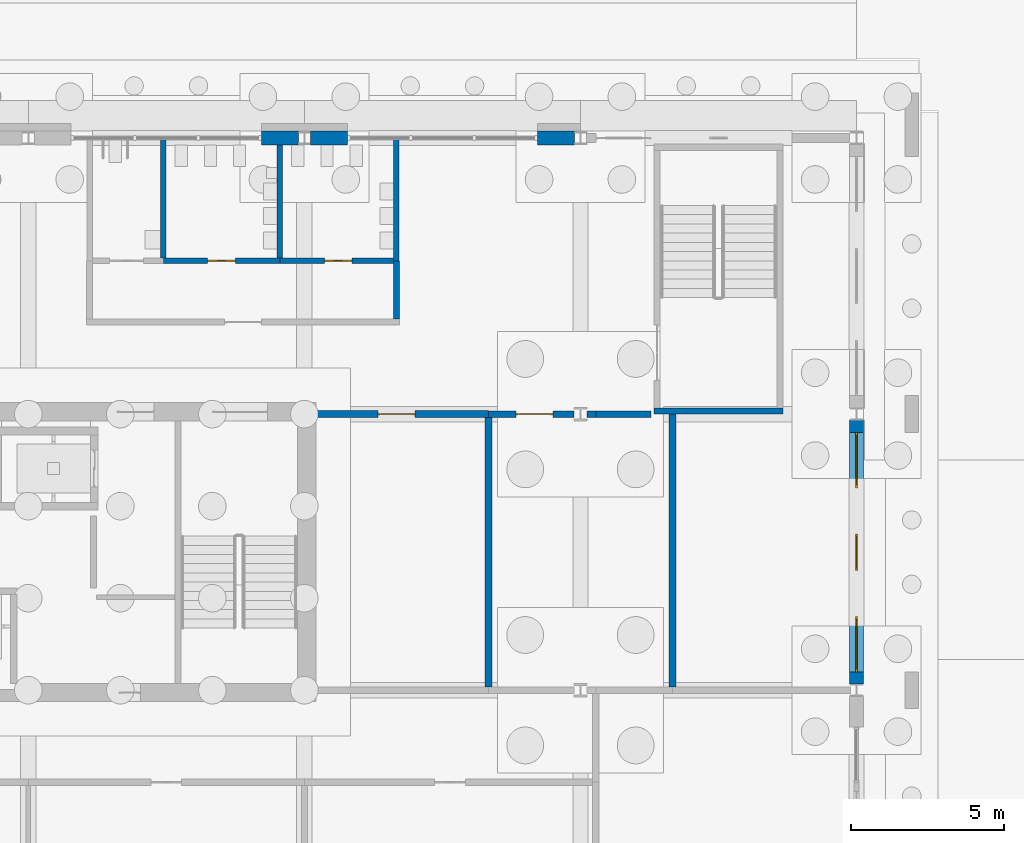
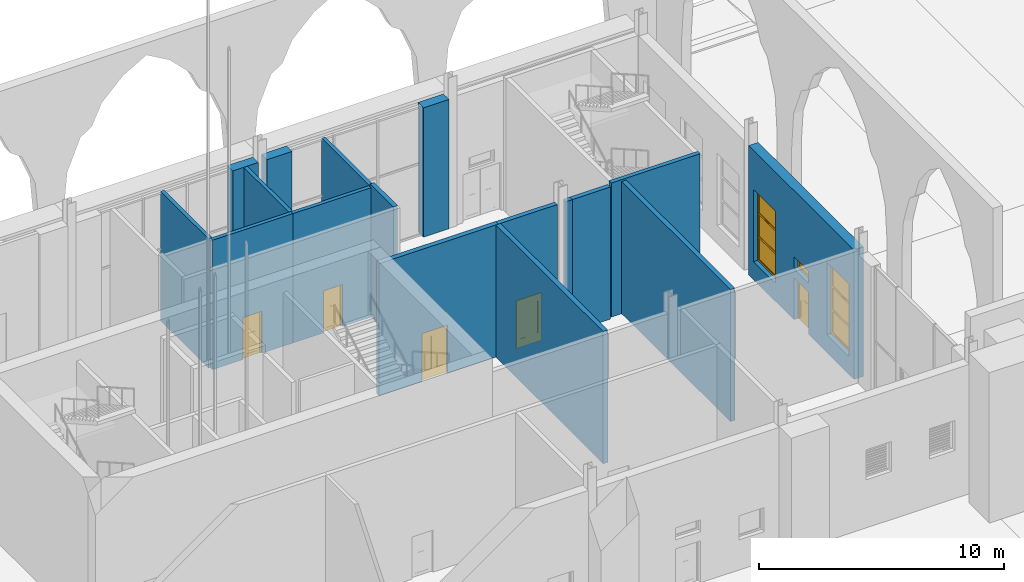
# One storey, part 136 of 250: 17 walls, 5 doors, 3 windows, 8 openings.
"""IFC4 building model written with IfcOpenShell, lengths in metres."""

from ifc_helpers import new_model, si_unit, direction, frame, frame_2d, origin, place, context, subcontext, project, spatial, polyline, rectangle, outline, extrude, material, layer, layer_set, type_object, element, fill, save


model = new_model("IFC4")

# Units and contexts
model_context = context("Model", 3, precision=1e-05, world=origin(), true_north=direction((0.0, 1.0)))
body_context = subcontext(model_context, "Body", "Model", "MODEL_VIEW")
ifc_project = project(units=[si_unit("LENGTHUNIT", "METRE"), si_unit("AREAUNIT", "SQUARE_METRE"), si_unit("VOLUMEUNIT", "CUBIC_METRE"), si_unit("PLANEANGLEUNIT", "RADIAN"), si_unit("MASSUNIT", "GRAM", prefix="KILO")], contexts=[model_context])

# Site, building, storey
site_placement = place(None, origin())
site = spatial("IfcSite", under=ifc_project, at=site_placement, CompositionType="ELEMENT")
building_placement = place(site_placement, origin())
building = spatial("IfcBuilding", under=site, at=building_placement, Name="Baradari Gate Terminus", CompositionType="ELEMENT")
storey_placement = place(building_placement, origin())
storey = spatial("IfcBuildingStorey", under=building, at=storey_placement, Name="L00", CompositionType="ELEMENT", Elevation=0.0)

# Wall, opening, door
ifc_material_1 = material(Name="Dense blockwork wall, plastered, fire rated", Category="masonry")
ifc_layer_1 = layer(ifc_material_1, 0.22509765625)
ifc_layer_set_1 = layer_set([ifc_layer_1], Name="Dense blockwork wall, plastered, fire rated")
wall_type_1 = type_object("IfcWallType", Name="Electrical room wall PT-8 225 EI 120", PredefinedType="PARTITIONING", material=ifc_layer_set_1)
wall_1_placement = place(storey_placement, frame((51.0, 135.0, 0.0), z_axis=(0.0, 0.0, 1.0), x_axis=(-1.0, 0.0, 0.0)))
wall_1 = element("IfcWall", 1, at=wall_1_placement, inside=storey, type_object=wall_type_1, Name="PT-8 partition Staff and Visitor Lobby / Fire Pump Room", PredefinedType="PARTITIONING", context=body_context, shape_type="SweptSolid", body=[
    extrude(rectangle(XDim=5.623046875, YDim=0.22509765625, at=frame_2d((2.8115234375, 0.0))), origin(), (0.0, 0.0, 1.0), 6.60009765625),
])
opening_1_placement = place(wall_1_placement, frame((2.39990234375, 0.0, 0.0)))
opening_1 = element("IfcOpeningElement", 2, at=opening_1_placement, cuts=wall_1, Name="Opening D00-099", PredefinedType="OPENING", context=body_context, shape_type="SweptSolid", body=[
    extrude(rectangle(XDim=1.199951171875, YDim=2.39990234375, at=frame_2d((0.60009765625, 1.199951171875))), frame((0.0, 0.12255859375, 0.0), z_axis=(0.0, -1.0, 0.0), x_axis=(1.0, 0.0, 0.0)), (0.0, 0.0, 1.0), 0.2451171875),
])
ifc_material_2 = material(Name="Steel S275", Category="steel")
door_type_1 = type_object("IfcDoorType", Name="Fire door FI-1200x2400-FD90S 1200x2400 FD90S", OperationType="DOUBLE_DOOR_SINGLE_SWING", PredefinedType="DOOR", material=ifc_material_2)
door_1_placement = place(opening_1_placement, origin())
door_1 = element("IfcDoor", 3, at=door_1_placement, inside=storey, type_object=door_type_1, Name="Door Fire Pump Room", OperationType="DOUBLE_DOOR_SINGLE_SWING", OverallHeight=2.4, OverallWidth=1.2, PredefinedType="DOOR", context=body_context, shape_type="SweptSolid", body=[
    extrude(outline(polyline([(0.0, 0.0), (0.070068359375, 0.0), (0.070068359375, 2.329833984375), (1.1298828125, 2.329833984375), (1.1298828125, 0.0), (1.199951171875, 0.0), (1.199951171875, 2.39990234375), (0.0, 2.39990234375), (0.0, 0.0)])), frame((0.0, 0.02490234375, 0.0), z_axis=(0.0, -1.0, 0.0), x_axis=(1.0, 0.0, 0.0)), (0.0, 0.0, 1.0), 0.050048828125),
    extrude(outline(polyline([(0.073974609375, 0.010009765625), (0.596923828125, 0.010009765625), (0.596923828125, 2.325927734375), (0.073974609375, 2.325927734375), (0.073974609375, 0.010009765625)]), holes=[polyline([(0.178466796875, 0.4267578125), (0.492431640625, 0.4267578125), (0.492431640625, 2.048095703125), (0.178466796875, 2.048095703125), (0.178466796875, 0.4267578125)])]), frame((0.0, 0.017333984375, 0.0), z_axis=(0.0, -1.0, 0.0), x_axis=(1.0, 0.0, 0.0)), (0.0, 0.0, 1.0), 0.034912109375),
    extrude(rectangle(XDim=0.31396484375, YDim=1.621337890625, at=frame_2d((0.33544921875, 1.2373046875))), frame((0.0, 0.008544921875, 0.0), z_axis=(0.0, -1.0, 0.0), x_axis=(1.0, 0.0, 0.0)), (0.0, 0.0, 1.0), 0.017333984375),
    extrude(outline(polyline([(0.60302734375, 0.010009765625), (1.1259765625, 0.010009765625), (1.1259765625, 2.325927734375), (0.60302734375, 2.325927734375), (0.60302734375, 0.010009765625)]), holes=[polyline([(0.70751953125, 0.4267578125), (1.021484375, 0.4267578125), (1.021484375, 2.048095703125), (0.70751953125, 2.048095703125), (0.70751953125, 0.4267578125)])]), frame((0.0, 0.017333984375, 0.0), z_axis=(0.0, -1.0, 0.0), x_axis=(1.0, 0.0, 0.0)), (0.0, 0.0, 1.0), 0.034912109375),
    extrude(rectangle(XDim=0.31396484375, YDim=1.621337890625, at=frame_2d((0.864501953125, 1.2373046875))), frame((0.0, 0.008544921875, 0.0), z_axis=(0.0, -1.0, 0.0), x_axis=(1.0, 0.0, 0.0)), (0.0, 0.0, 1.0), 0.017333984375),
])
fill(opening_1, door_1)

# Walls
wall_2_placement = place(storey_placement, frame((51.0, 134.887451171875, 0.0), z_axis=(0.0, 0.0, 1.0), x_axis=(0.0, -1.0, 0.0)))
element("IfcWall", 4, at=wall_2_placement, inside=storey, type_object=wall_type_1, Name="PT-8 partition Fire Pump Room / Water Tank Room", PredefinedType="PARTITIONING", context=body_context, shape_type="SweptSolid", body=[
    extrude(rectangle(XDim=8.77490234375, YDim=0.22509765625, at=frame_2d((4.387451171875, 0.0))), origin(), (0.0, 0.0, 1.0), 6.60009765625),
])
ifc_material_3 = material(Name="Laterite masonry", Category="masonry")
ifc_layer_2 = layer(ifc_material_3, 0.449951171875)
ifc_layer_set_2 = layer_set([ifc_layer_2], Name="Laterite masonry")
wall_type_2 = type_object("IfcWallType", Name="Laterite masonry pier WC-1 450", PredefinedType="SOLIDWALL", material=ifc_layer_set_2)
for number, where, z_axis, x_axis, name in (
    (5, (43.6005859375, 144.0, 0.0), (0.0, 0.0, 1.0), (1.0, 0.0, 0.0), "Stone-clad pier TN bay 5 L00"),
    (6, (45.199462890625, 144.0, 0.0), (0.0, 0.0, 1.0), (1.0, 0.0, 0.0), "Stone-clad pier TN bay 6 L00"),
    (7, (52.6005859375, 144.0, 0.0), (0.0, 0.0, 1.0), (1.0, 0.0, 0.0), "Stone-clad pier TN bay 6 L00"),
):
    element("IfcWall", number, at=place(storey_placement, frame(where, z_axis=z_axis, x_axis=x_axis)), inside=storey, type_object=wall_type_2, Name=name, PredefinedType="SOLIDWALL", context=body_context, shape_type="SweptSolid", body=[
        extrude(rectangle(XDim=1.199951171875, YDim=0.449951171875, at=frame_2d((0.60009765625, 0.0))), origin(), (0.0, 0.0, 1.0), 6.459716796875),
    ])

# Wall, openings, windows, door
wall_3_placement = place(storey_placement, frame((63.0, 126.19677734375, 0.0), z_axis=(0.0, 0.0, 1.0), x_axis=(0.0, 1.0, 0.0)))
wall_3 = element("IfcWall", 8, at=wall_3_placement, inside=storey, type_object=wall_type_2, Name="Operations block east TE bay 15 L00", PredefinedType="SOLIDWALL", context=body_context, shape_type="SweptSolid", body=[
    extrude(rectangle(XDim=8.6064453125, YDim=0.449951171875, at=frame_2d((4.30322265625, 0.0))), origin(), (0.0, 0.0, 1.0), 6.459716796875),
])
opening_2_placement = place(wall_3_placement, frame((3.703125, 0.0, 0.0)))
opening_2 = element("IfcOpeningElement", 9, at=opening_2_placement, cuts=wall_3, Name="Opening D00-011", PredefinedType="OPENING", context=body_context, shape_type="SweptSolid", body=[
    extrude(rectangle(XDim=1.199951171875, YDim=2.10009765625, at=frame_2d((0.60009765625, 1.050048828125))), frame((0.0, 0.23486328125, 0.0), z_axis=(0.0, -1.0, 0.0), x_axis=(1.0, 0.0, 0.0)), (0.0, 0.0, 1.0), 0.469970703125),
])
opening_3_placement = place(wall_3_placement, frame((3.703125, 0.0, 2.550048828125)))
opening_3 = element("IfcOpeningElement", 10, at=opening_3_placement, cuts=wall_3, Name="Opening W10", PredefinedType="OPENING", context=body_context, shape_type="SweptSolid", body=[
    extrude(rectangle(XDim=1.199951171875, YDim=0.60009765625, at=frame_2d((0.60009765625, 0.300048828125))), frame((0.0, 0.23486328125, 0.0), z_axis=(0.0, -1.0, 0.0), x_axis=(1.0, 0.0, 0.0)), (0.0, 0.0, 1.0), 0.469970703125),
])
opening_4_placement = place(wall_3_placement, frame((0.4033203125, 0.0, 0.89990234375)))
opening_4 = element("IfcOpeningElement", 11, at=opening_4_placement, cuts=wall_3, Name="Opening W3", PredefinedType="OPENING", context=body_context, shape_type="SweptSolid", body=[
    extrude(rectangle(XDim=1.800048828125, YDim=3.60009765625, at=frame_2d((0.89990234375, 1.800048828125))), frame((0.0, 0.23486328125, 0.0), z_axis=(0.0, -1.0, 0.0), x_axis=(1.0, 0.0, 0.0)), (0.0, 0.0, 1.0), 0.469970703125),
])
opening_5_placement = place(wall_3_placement, frame((6.4033203125, 0.0, 0.89990234375)))
opening_5 = element("IfcOpeningElement", 12, at=opening_5_placement, cuts=wall_3, Name="Opening W3", PredefinedType="OPENING", context=body_context, shape_type="SweptSolid", body=[
    extrude(rectangle(XDim=1.800048828125, YDim=3.60009765625, at=frame_2d((0.89990234375, 1.800048828125))), frame((0.0, 0.23486328125, 0.0), z_axis=(0.0, -1.0, 0.0), x_axis=(1.0, 0.0, 0.0)), (0.0, 0.0, 1.0), 0.469970703125),
])
ifc_material_4 = material(Name="Aluminium 6063-T6", Category="aluminium")
window_type_1 = type_object("IfcWindowType", Name="Door fanlight W10 1200x600", PartitioningType="SINGLE_PANEL", PredefinedType="WINDOW", material=ifc_material_4)
window_1_placement = place(opening_3_placement, origin())
window_1 = element("IfcWindow", 13, at=window_1_placement, inside=storey, type_object=window_type_1, Name="Fanlight over Plant Room", OverallHeight=0.6, OverallWidth=1.2, PartitioningType="SINGLE_PANEL", PredefinedType="WINDOW", context=body_context, shape_type="SweptSolid", body=[
    extrude(outline(polyline([(0.0, 0.0), (1.199951171875, 0.0), (1.199951171875, 0.60009765625), (0.0, 0.60009765625), (0.0, 0.0)]), holes=[polyline([(0.070068359375, 0.070068359375), (1.1298828125, 0.070068359375), (1.1298828125, 0.530029296875), (0.070068359375, 0.530029296875), (0.070068359375, 0.070068359375)])]), frame((0.0, 0.030029296875, 0.0), z_axis=(0.0, -1.0, 0.0), x_axis=(1.0, 0.0, 0.0)), (0.0, 0.0, 1.0), 0.06005859375),
    extrude(outline(polyline([(0.070068359375, 0.070068359375), (1.1298828125, 0.070068359375), (1.1298828125, 0.530029296875), (0.070068359375, 0.530029296875), (0.070068359375, 0.070068359375)]), holes=[polyline([(0.10009765625, 0.10009765625), (1.099853515625, 0.10009765625), (1.099853515625, 0.5), (0.10009765625, 0.5), (0.10009765625, 0.10009765625)])]), frame((0.0, 0.0224609375, 0.0), z_axis=(0.0, -1.0, 0.0), x_axis=(1.0, 0.0, 0.0)), (0.0, 0.0, 1.0), 0.044921875),
    extrude(rectangle(XDim=0.999755859375, YDim=0.39990234375, at=frame_2d((0.60009765625, 0.300048828125))), frame((0.0, 0.006103515625, 0.0), z_axis=(0.0, -1.0, 0.0), x_axis=(1.0, 0.0, 0.0)), (0.0, 0.0, 1.0), 0.01220703125),
])
fill(opening_3, window_1)
ifc_material_5 = material(Name="Steel S235", Category="steel")
door_type_2 = type_object("IfcDoorType", Name="Fire door, steel DT-9 1200x2100", OperationType="SINGLE_SWING_RIGHT", PredefinedType="DOOR", material=ifc_material_5)
door_2_placement = place(opening_2_placement, frame((1.199951171875, 0.0, 0.0), z_axis=(0.0, 0.0, 1.0), x_axis=(-1.0, 0.0, 0.0)))
door_2 = element("IfcDoor", 14, at=door_2_placement, inside=storey, type_object=door_type_2, Name="Exit door Plant Room", OperationType="SINGLE_SWING_RIGHT", OverallHeight=2.1, OverallWidth=1.2, PredefinedType="DOOR", context=body_context, shape_type="SweptSolid", body=[
    extrude(outline(polyline([(0.0, 0.0), (0.070068359375, 0.0), (0.070068359375, 2.030029296875), (1.1298828125, 2.030029296875), (1.1298828125, 0.0), (1.199951171875, 0.0), (1.199951171875, 2.10009765625), (0.0, 2.10009765625), (0.0, 0.0)])), frame((0.0, 0.02490234375, 0.0), z_axis=(0.0, -1.0, 0.0), x_axis=(1.0, 0.0, 0.0)), (0.0, 0.0, 1.0), 0.050048828125),
    extrude(outline(polyline([(0.073974609375, 0.010009765625), (1.1259765625, 0.010009765625), (1.1259765625, 2.026123046875), (0.073974609375, 2.026123046875), (0.073974609375, 0.010009765625)]), holes=[polyline([(0.194091796875, 0.159912109375), (1.005859375, 0.159912109375), (1.005859375, 1.010009765625), (0.194091796875, 1.010009765625), (0.194091796875, 0.159912109375)]), polyline([(0.449951171875, 1.159912109375), (0.75, 1.159912109375), (0.75, 1.760009765625), (0.449951171875, 1.760009765625), (0.449951171875, 1.159912109375)])]), frame((0.0, 0.017333984375, 0.0), z_axis=(0.0, -1.0, 0.0), x_axis=(1.0, 0.0, 0.0)), (0.0, 0.0, 1.0), 0.034912109375),
    extrude(rectangle(XDim=0.811767578125, YDim=0.85009765625, at=frame_2d((0.60009765625, 0.5849609375))), frame((0.0, 0.008544921875, 0.0), z_axis=(0.0, -1.0, 0.0), x_axis=(1.0, 0.0, 0.0)), (0.0, 0.0, 1.0), 0.017333984375),
    extrude(rectangle(XDim=0.300048828125, YDim=0.60009765625, at=frame_2d((0.60009765625, 1.4599609375))), frame((0.0, 0.005859375, 0.0), z_axis=(0.0, -1.0, 0.0), x_axis=(1.0, 0.0, 0.0)), (0.0, 0.0, 1.0), 0.011962890625),
])
fill(opening_2, door_2)
ifc_material_6 = material(Name="Aluminium 6063-T6", Category="aluminium")
window_type_2 = type_object("IfcWindowType", Name="Tall window, 3-light W3 1800x3600", PartitioningType="TRIPLE_PANEL_HORIZONTAL", PredefinedType="WINDOW", material=ifc_material_6)
window_2_placement = place(opening_4_placement, origin())
window_2 = element("IfcWindow", 15, at=window_2_placement, inside=storey, type_object=window_type_2, Name="Window W3 TE/14", OverallHeight=3.6, OverallWidth=1.8, PartitioningType="TRIPLE_PANEL_HORIZONTAL", PredefinedType="WINDOW", context=body_context, shape_type="SweptSolid", body=[
    extrude(outline(polyline([(0.0, 0.0), (1.800048828125, 0.0), (1.800048828125, 3.60009765625), (0.0, 3.60009765625), (0.0, 0.0)]), holes=[polyline([(0.070068359375, 0.070068359375), (1.72998046875, 0.070068359375), (1.72998046875, 3.530029296875), (0.070068359375, 3.530029296875), (0.070068359375, 0.070068359375)])]), frame((0.0, 0.030029296875, 0.0), z_axis=(0.0, -1.0, 0.0), x_axis=(1.0, 0.0, 0.0)), (0.0, 0.0, 1.0), 0.06005859375),
    extrude(rectangle(XDim=1.659912109375, YDim=0.0400390625, at=frame_2d((0.89990234375, 1.216796875))), frame((0.0, 0.021484375, 0.0), z_axis=(0.0, -1.0, 0.0), x_axis=(1.0, 0.0, 0.0)), (0.0, 0.0, 1.0), 0.04296875),
    extrude(rectangle(XDim=1.659912109375, YDim=0.0400390625, at=frame_2d((0.89990234375, 2.38330078125))), frame((0.0, 0.021484375, 0.0), z_axis=(0.0, -1.0, 0.0), x_axis=(1.0, 0.0, 0.0)), (0.0, 0.0, 1.0), 0.04296875),
    extrude(outline(polyline([(0.070068359375, 0.070068359375), (1.72998046875, 0.070068359375), (1.72998046875, 1.19677734375), (0.070068359375, 1.19677734375), (0.070068359375, 0.070068359375)]), holes=[polyline([(0.10009765625, 0.10009765625), (1.699951171875, 0.10009765625), (1.699951171875, 1.166748046875), (0.10009765625, 1.166748046875), (0.10009765625, 0.10009765625)])]), frame((0.0, 0.0224609375, 0.0), z_axis=(0.0, -1.0, 0.0), x_axis=(1.0, 0.0, 0.0)), (0.0, 0.0, 1.0), 0.044921875),
    extrude(rectangle(XDim=1.599853515625, YDim=1.066650390625, at=frame_2d((0.89990234375, 0.63330078125))), frame((0.0, 0.006103515625, 0.0), z_axis=(0.0, -1.0, 0.0), x_axis=(1.0, 0.0, 0.0)), (0.0, 0.0, 1.0), 0.01220703125),
    extrude(outline(polyline([(0.070068359375, 1.23681640625), (1.72998046875, 1.23681640625), (1.72998046875, 2.36328125), (0.070068359375, 2.36328125), (0.070068359375, 1.23681640625)]), holes=[polyline([(0.10009765625, 1.266845703125), (1.699951171875, 1.266845703125), (1.699951171875, 2.333251953125), (0.10009765625, 2.333251953125), (0.10009765625, 1.266845703125)])]), frame((0.0, 0.0224609375, 0.0), z_axis=(0.0, -1.0, 0.0), x_axis=(1.0, 0.0, 0.0)), (0.0, 0.0, 1.0), 0.044921875),
    extrude(rectangle(XDim=1.599853515625, YDim=1.06640625, at=frame_2d((0.89990234375, 1.800048828125))), frame((0.0, 0.006103515625, 0.0), z_axis=(0.0, -1.0, 0.0), x_axis=(1.0, 0.0, 0.0)), (0.0, 0.0, 1.0), 0.01220703125),
    extrude(outline(polyline([(0.070068359375, 2.4033203125), (1.72998046875, 2.4033203125), (1.72998046875, 3.530029296875), (0.070068359375, 3.530029296875), (0.070068359375, 2.4033203125)]), holes=[polyline([(0.10009765625, 2.433349609375), (1.699951171875, 2.433349609375), (1.699951171875, 3.5), (0.10009765625, 3.5), (0.10009765625, 2.433349609375)])]), frame((0.0, 0.0224609375, 0.0), z_axis=(0.0, -1.0, 0.0), x_axis=(1.0, 0.0, 0.0)), (0.0, 0.0, 1.0), 0.044921875),
    extrude(rectangle(XDim=1.599853515625, YDim=1.066650390625, at=frame_2d((0.89990234375, 2.966796875))), frame((0.0, 0.006103515625, 0.0), z_axis=(0.0, -1.0, 0.0), x_axis=(1.0, 0.0, 0.0)), (0.0, 0.0, 1.0), 0.01220703125),
])
fill(opening_4, window_2)
window_3_placement = place(opening_5_placement, origin())
window_3 = element("IfcWindow", 16, at=window_3_placement, inside=storey, type_object=window_type_2, Name="Window W3 TE/14", OverallHeight=3.6, OverallWidth=1.8, PartitioningType="TRIPLE_PANEL_HORIZONTAL", PredefinedType="WINDOW", context=body_context, shape_type="SweptSolid", body=[
    extrude(outline(polyline([(0.0, 0.0), (1.800048828125, 0.0), (1.800048828125, 3.60009765625), (0.0, 3.60009765625), (0.0, 0.0)]), holes=[polyline([(0.070068359375, 0.070068359375), (1.72998046875, 0.070068359375), (1.72998046875, 3.530029296875), (0.070068359375, 3.530029296875), (0.070068359375, 0.070068359375)])]), frame((0.0, 0.030029296875, 0.0), z_axis=(0.0, -1.0, 0.0), x_axis=(1.0, 0.0, 0.0)), (0.0, 0.0, 1.0), 0.06005859375),
    extrude(rectangle(XDim=1.659912109375, YDim=0.0400390625, at=frame_2d((0.89990234375, 1.216796875))), frame((0.0, 0.021484375, 0.0), z_axis=(0.0, -1.0, 0.0), x_axis=(1.0, 0.0, 0.0)), (0.0, 0.0, 1.0), 0.04296875),
    extrude(rectangle(XDim=1.659912109375, YDim=0.0400390625, at=frame_2d((0.89990234375, 2.38330078125))), frame((0.0, 0.021484375, 0.0), z_axis=(0.0, -1.0, 0.0), x_axis=(1.0, 0.0, 0.0)), (0.0, 0.0, 1.0), 0.04296875),
    extrude(outline(polyline([(0.070068359375, 0.070068359375), (1.72998046875, 0.070068359375), (1.72998046875, 1.19677734375), (0.070068359375, 1.19677734375), (0.070068359375, 0.070068359375)]), holes=[polyline([(0.10009765625, 0.10009765625), (1.699951171875, 0.10009765625), (1.699951171875, 1.166748046875), (0.10009765625, 1.166748046875), (0.10009765625, 0.10009765625)])]), frame((0.0, 0.0224609375, 0.0), z_axis=(0.0, -1.0, 0.0), x_axis=(1.0, 0.0, 0.0)), (0.0, 0.0, 1.0), 0.044921875),
    extrude(rectangle(XDim=1.599853515625, YDim=1.066650390625, at=frame_2d((0.89990234375, 0.63330078125))), frame((0.0, 0.006103515625, 0.0), z_axis=(0.0, -1.0, 0.0), x_axis=(1.0, 0.0, 0.0)), (0.0, 0.0, 1.0), 0.01220703125),
    extrude(outline(polyline([(0.070068359375, 1.23681640625), (1.72998046875, 1.23681640625), (1.72998046875, 2.36328125), (0.070068359375, 2.36328125), (0.070068359375, 1.23681640625)]), holes=[polyline([(0.10009765625, 1.266845703125), (1.699951171875, 1.266845703125), (1.699951171875, 2.333251953125), (0.10009765625, 2.333251953125), (0.10009765625, 1.266845703125)])]), frame((0.0, 0.0224609375, 0.0), z_axis=(0.0, -1.0, 0.0), x_axis=(1.0, 0.0, 0.0)), (0.0, 0.0, 1.0), 0.044921875),
    extrude(rectangle(XDim=1.599853515625, YDim=1.06640625, at=frame_2d((0.89990234375, 1.800048828125))), frame((0.0, 0.006103515625, 0.0), z_axis=(0.0, -1.0, 0.0), x_axis=(1.0, 0.0, 0.0)), (0.0, 0.0, 1.0), 0.01220703125),
    extrude(outline(polyline([(0.070068359375, 2.4033203125), (1.72998046875, 2.4033203125), (1.72998046875, 3.530029296875), (0.070068359375, 3.530029296875), (0.070068359375, 2.4033203125)]), holes=[polyline([(0.10009765625, 2.433349609375), (1.699951171875, 2.433349609375), (1.699951171875, 3.5), (0.10009765625, 3.5), (0.10009765625, 2.433349609375)])]), frame((0.0, 0.0224609375, 0.0), z_axis=(0.0, -1.0, 0.0), x_axis=(1.0, 0.0, 0.0)), (0.0, 0.0, 1.0), 0.044921875),
    extrude(rectangle(XDim=1.599853515625, YDim=1.066650390625, at=frame_2d((0.89990234375, 2.966796875))), frame((0.0, 0.006103515625, 0.0), z_axis=(0.0, -1.0, 0.0), x_axis=(1.0, 0.0, 0.0)), (0.0, 0.0, 1.0), 0.01220703125),
])
fill(opening_5, window_3)

# Walls
ifc_material_7 = material(Name="Blockwork wall, plastered, fire rated", Category="masonry")
ifc_layer_3 = layer(ifc_material_7, 0.199951171875)
ifc_layer_set_3 = layer_set([ifc_layer_3], Name="Blockwork wall, plastered, fire rated")
wall_type_3 = type_object("IfcWallType", Name="Lobby partition PT-4 200 EI 60", PredefinedType="PARTITIONING", material=ifc_layer_set_3)
wall_4_placement = place(storey_placement, frame((48.0, 138.10009765625, 0.0), z_axis=(0.0, 0.0, 1.0), x_axis=(0.0, 1.0, 0.0)))
element("IfcWall", 17, at=wall_4_placement, inside=storey, type_object=wall_type_3, Name="PT-4 partition Staff and Visitor Lobby / WC Lobby", PredefinedType="PARTITIONING", context=body_context, shape_type="SweptSolid", body=[
    extrude(rectangle(XDim=1.89990234375, YDim=0.199951171875, at=frame_2d((0.949951171875, 0.0))), origin(), (0.0, 0.0, 1.0), 6.60009765625),
])
ifc_material_8 = material(Name="Dense blockwork wall, plastered, acoustic", Category="masonry")
ifc_layer_4 = layer(ifc_material_8, 0.215087890625)
ifc_layer_set_4 = layer_set([ifc_layer_4], Name="Dense blockwork wall, plastered, acoustic")
wall_type_4 = type_object("IfcWallType", Name="Plant room wall PT-7 215 EI 60", PredefinedType="PARTITIONING", material=ifc_layer_set_4)
wall_5_placement = place(storey_placement, frame((54.5, 135.0, 0.0), z_axis=(0.0, 0.0, 1.0), x_axis=(-1.0, 0.0, 0.0)))
element("IfcWall", 18, at=wall_5_placement, inside=storey, type_object=wall_type_4, Name="PT-7 partition Staff and Visitor Lobby / Water Tank Room", PredefinedType="PARTITIONING", context=body_context, shape_type="SweptSolid", body=[
    extrude(rectangle(XDim=0.2939453125, YDim=0.215087890625, at=frame_2d((0.14697265625, 0.0))), origin(), (0.0, 0.0, 1.0), 6.60009765625),
])

# Wall, opening, door
wall_6_placement = place(storey_placement, frame((53.7939453125, 135.0, 0.0), z_axis=(0.0, 0.0, 1.0), x_axis=(-1.0, 0.0, 0.0)))
wall_6 = element("IfcWall", 19, at=wall_6_placement, inside=storey, type_object=wall_type_4, Name="PT-7 partition Staff and Visitor Lobby / Water Tank Room", PredefinedType="PARTITIONING", context=body_context, shape_type="SweptSolid", body=[
    extrude(rectangle(XDim=2.7939453125, YDim=0.215087890625, at=frame_2d((1.39697265625, 0.0))), origin(), (0.0, 0.0, 1.0), 6.60009765625),
])
opening_6_placement = place(wall_6_placement, frame((0.69384765625, 0.0, 0.0)))
opening_6 = element("IfcOpeningElement", 20, at=opening_6_placement, cuts=wall_6, Name="Opening D00-100", PredefinedType="OPENING", context=body_context, shape_type="SweptSolid", body=[
    extrude(rectangle(XDim=1.199951171875, YDim=2.39990234375, at=frame_2d((0.60009765625, 1.199951171875))), frame((0.0, 0.117431640625, 0.0), z_axis=(0.0, -1.0, 0.0), x_axis=(1.0, 0.0, 0.0)), (0.0, 0.0, 1.0), 0.235107421875),
])
ifc_material_9 = material(Name="Steel S275", Category="steel")
door_type_3 = type_object("IfcDoorType", Name="Fire door FI-1200x2400-FD60S 1200x2400 FD60S", OperationType="DOUBLE_DOOR_SINGLE_SWING", PredefinedType="DOOR", material=ifc_material_9)
door_3_placement = place(opening_6_placement, origin())
door_3 = element("IfcDoor", 21, at=door_3_placement, inside=storey, type_object=door_type_3, Name="Door Water Tank Room", OperationType="DOUBLE_DOOR_SINGLE_SWING", OverallHeight=2.4, OverallWidth=1.2, PredefinedType="DOOR", context=body_context, shape_type="SweptSolid", body=[
    extrude(outline(polyline([(0.0, 0.0), (0.070068359375, 0.0), (0.070068359375, 2.329833984375), (1.1298828125, 2.329833984375), (1.1298828125, 0.0), (1.199951171875, 0.0), (1.199951171875, 2.39990234375), (0.0, 2.39990234375), (0.0, 0.0)])), frame((0.0, 0.02490234375, 0.0), z_axis=(0.0, -1.0, 0.0), x_axis=(1.0, 0.0, 0.0)), (0.0, 0.0, 1.0), 0.050048828125),
    extrude(outline(polyline([(0.073974609375, 0.010009765625), (0.596923828125, 0.010009765625), (0.596923828125, 2.325927734375), (0.073974609375, 2.325927734375), (0.073974609375, 0.010009765625)]), holes=[polyline([(0.178466796875, 0.4267578125), (0.492431640625, 0.4267578125), (0.492431640625, 2.048095703125), (0.178466796875, 2.048095703125), (0.178466796875, 0.4267578125)])]), frame((0.0, 0.017333984375, 0.0), z_axis=(0.0, -1.0, 0.0), x_axis=(1.0, 0.0, 0.0)), (0.0, 0.0, 1.0), 0.034912109375),
    extrude(rectangle(XDim=0.31396484375, YDim=1.621337890625, at=frame_2d((0.33544921875, 1.2373046875))), frame((0.0, 0.008544921875, 0.0), z_axis=(0.0, -1.0, 0.0), x_axis=(1.0, 0.0, 0.0)), (0.0, 0.0, 1.0), 0.017333984375),
    extrude(outline(polyline([(0.60302734375, 0.010009765625), (1.1259765625, 0.010009765625), (1.1259765625, 2.325927734375), (0.60302734375, 2.325927734375), (0.60302734375, 0.010009765625)]), holes=[polyline([(0.70751953125, 0.4267578125), (1.021484375, 0.4267578125), (1.021484375, 2.048095703125), (0.70751953125, 2.048095703125), (0.70751953125, 0.4267578125)])]), frame((0.0, 0.017333984375, 0.0), z_axis=(0.0, -1.0, 0.0), x_axis=(1.0, 0.0, 0.0)), (0.0, 0.0, 1.0), 0.034912109375),
    extrude(rectangle(XDim=0.31396484375, YDim=1.621337890625, at=frame_2d((0.864501953125, 1.2373046875))), frame((0.0, 0.008544921875, 0.0), z_axis=(0.0, -1.0, 0.0), x_axis=(1.0, 0.0, 0.0)), (0.0, 0.0, 1.0), 0.017333984375),
])
fill(opening_6, door_3)

# Walls
wall_7_placement = place(storey_placement, frame((56.300048828125, 135.0, 0.0), z_axis=(0.0, 0.0, 1.0), x_axis=(-1.0, 0.0, 0.0)))
element("IfcWall", 22, at=wall_7_placement, inside=storey, type_object=wall_type_4, Name="PT-7 partition Corridor (Stair Passage) / Water Tank Room", PredefinedType="PARTITIONING", context=body_context, shape_type="SweptSolid", body=[
    extrude(rectangle(XDim=1.800048828125, YDim=0.215087890625, at=frame_2d((0.89990234375, 0.0))), origin(), (0.0, 0.0, 1.0), 6.60009765625),
])
wall_8_placement = place(storey_placement, frame((57.0, 134.998046875, 0.0), z_axis=(0.0, 0.0, 1.0), x_axis=(0.0, -1.0, 0.0)))
element("IfcWall", 23, at=wall_8_placement, inside=storey, type_object=wall_type_4, Name="PT-7 partition Water Tank Room / Plant Room", PredefinedType="PARTITIONING", context=body_context, shape_type="SweptSolid", body=[
    extrude(rectangle(XDim=8.890625, YDim=0.215087890625, at=frame_2d((4.4453125, 0.0))), origin(), (0.0, 0.0, 1.0), 6.60009765625),
])
ifc_material_10 = material(Name="Concrete C40/50", Category="concrete")
ifc_layer_5 = layer(ifc_material_10, 0.199951171875)
ifc_layer_set_5 = layer_set([ifc_layer_5], Name="Concrete C40/50")
wall_type_5 = type_object("IfcWallType", Name="Stair enclosure wall SE-2 200 EI 120", PredefinedType="SOLIDWALL", material=ifc_layer_set_5)
wall_9_placement = place(storey_placement, frame((56.39990234375, 135.10009765625, 0.0), z_axis=(0.0, 0.0, 1.0), x_axis=(1.0, 0.0, 0.0)))
element("IfcWall", 24, at=wall_9_placement, inside=storey, type_object=wall_type_5, Name="Stair enclosure wall SE-2 ST-T3 L00 S", PredefinedType="SOLIDWALL", context=body_context, shape_type="SweptSolid", body=[
    extrude(rectangle(XDim=4.2001953125, YDim=0.199951171875, at=frame_2d((2.10009765625, 0.0))), origin(), (0.0, 0.0, 1.0), 6.69189453125),
])
ifc_material_11 = material(Name="Blockwork wall, tiled both faces", Category="masonry")
ifc_layer_6 = layer(ifc_material_11, 0.175048828125)
ifc_layer_set_6 = layer_set([ifc_layer_6], Name="Blockwork wall, tiled both faces")
wall_type_6 = type_object("IfcWallType", Name="WC wet wall PT-6 175 EI 60", PredefinedType="PARTITIONING", material=ifc_layer_set_6)
wall_10_placement = place(storey_placement, frame((48.0, 140.0, 0.0), z_axis=(0.0, 0.0, 1.0), x_axis=(0.0, 1.0, 0.0)))
element("IfcWall", 25, at=wall_10_placement, inside=storey, type_object=wall_type_6, Name="PT-6 partition Staff and Visitor Lobby / Female WC", PredefinedType="PARTITIONING", context=body_context, shape_type="SweptSolid", body=[
    extrude(rectangle(XDim=4.0, YDim=0.175048828125, at=frame_2d((2.0, 0.0))), origin(), (0.0, 0.0, 1.0), 6.458984375),
])

# Wall, opening, door
wall_11_placement = place(storey_placement, frame((40.39990234375, 140.0, 0.0), z_axis=(0.0, 0.0, 1.0), x_axis=(1.0, 0.0, 0.0)))
wall_11 = element("IfcWall", 26, at=wall_11_placement, inside=storey, type_object=wall_type_6, Name="PT-6 partition WC Lobby / Male WC", PredefinedType="PARTITIONING", context=body_context, shape_type="SweptSolid", body=[
    extrude(rectangle(XDim=3.800048828125, YDim=0.175048828125, at=frame_2d((1.89990234375, 0.0))), origin(), (0.0, 0.0, 1.0), 6.458984375),
])
opening_7_placement = place(wall_11_placement, frame((1.449951171875, 0.0, 0.0)))
opening_7 = element("IfcOpeningElement", 27, at=opening_7_placement, cuts=wall_11, Name="Opening D00-092", PredefinedType="OPENING", context=body_context, shape_type="SweptSolid", body=[
    extrude(rectangle(XDim=0.89990234375, YDim=2.10009765625, at=frame_2d((0.449951171875, 1.050048828125))), frame((0.0, 0.097412109375, 0.0), z_axis=(0.0, -1.0, 0.0), x_axis=(1.0, 0.0, 0.0)), (0.0, 0.0, 1.0), 0.195068359375),
])
ifc_material_12 = material(Name="Steel S275", Category="steel")
door_type_4 = type_object("IfcDoorType", Name="Fire door FI-900-FD60S 900x2100 FD60S", OperationType="SINGLE_SWING_LEFT", PredefinedType="DOOR", material=ifc_material_12)
door_4_placement = place(opening_7_placement, origin())
door_4 = element("IfcDoor", 28, at=door_4_placement, inside=storey, type_object=door_type_4, Name="Door Male WC", OperationType="SINGLE_SWING_LEFT", OverallHeight=2.1, OverallWidth=0.9, PredefinedType="DOOR", context=body_context, shape_type="SweptSolid", body=[
    extrude(outline(polyline([(0.0, 0.0), (0.070068359375, 0.0), (0.070068359375, 2.030029296875), (0.829833984375, 2.030029296875), (0.829833984375, 0.0), (0.89990234375, 0.0), (0.89990234375, 2.10009765625), (0.0, 2.10009765625), (0.0, 0.0)])), frame((0.0, 0.02490234375, 0.0), z_axis=(0.0, -1.0, 0.0), x_axis=(1.0, 0.0, 0.0)), (0.0, 0.0, 1.0), 0.050048828125),
    extrude(outline(polyline([(0.073974609375, 0.010009765625), (0.825927734375, 0.010009765625), (0.825927734375, 2.026123046875), (0.073974609375, 2.026123046875), (0.073974609375, 0.010009765625)]), holes=[polyline([(0.194091796875, 0.159912109375), (0.705810546875, 0.159912109375), (0.705810546875, 1.010009765625), (0.194091796875, 1.010009765625), (0.194091796875, 0.159912109375)]), polyline([(0.300048828125, 1.159912109375), (0.599853515625, 1.159912109375), (0.599853515625, 1.760009765625), (0.300048828125, 1.760009765625), (0.300048828125, 1.159912109375)])]), frame((0.0, 0.017333984375, 0.0), z_axis=(0.0, -1.0, 0.0), x_axis=(1.0, 0.0, 0.0)), (0.0, 0.0, 1.0), 0.034912109375),
    extrude(rectangle(XDim=0.51171875, YDim=0.85009765625, at=frame_2d((0.449951171875, 0.5849609375))), frame((0.0, 0.008544921875, 0.0), z_axis=(0.0, -1.0, 0.0), x_axis=(1.0, 0.0, 0.0)), (0.0, 0.0, 1.0), 0.017333984375),
    extrude(rectangle(XDim=0.2998046875, YDim=0.60009765625, at=frame_2d((0.449951171875, 1.4599609375))), frame((0.0, 0.005859375, 0.0), z_axis=(0.0, -1.0, 0.0), x_axis=(1.0, 0.0, 0.0)), (0.0, 0.0, 1.0), 0.011962890625),
])
fill(opening_7, door_4)

wall_12_placement = place(storey_placement, frame((44.199951171875, 140.0, 0.0), z_axis=(0.0, 0.0, 1.0), x_axis=(1.0, 0.0, 0.0)))
wall_12 = element("IfcWall", 29, at=wall_12_placement, inside=storey, type_object=wall_type_6, Name="PT-6 partition WC Lobby / Female WC", PredefinedType="PARTITIONING", context=body_context, shape_type="SweptSolid", body=[
    extrude(rectangle(XDim=3.699951171875, YDim=0.175048828125, at=frame_2d((1.85009765625, 0.0))), origin(), (0.0, 0.0, 1.0), 6.458984375),
])
opening_8_placement = place(wall_12_placement, frame((1.449951171875, 0.0, 0.0)))
opening_8 = element("IfcOpeningElement", 30, at=opening_8_placement, cuts=wall_12, Name="Opening D00-093", PredefinedType="OPENING", context=body_context, shape_type="SweptSolid", body=[
    extrude(rectangle(XDim=0.89990234375, YDim=2.10009765625, at=frame_2d((0.449951171875, 1.050048828125))), frame((0.0, 0.097412109375, 0.0), z_axis=(0.0, -1.0, 0.0), x_axis=(1.0, 0.0, 0.0)), (0.0, 0.0, 1.0), 0.195068359375),
])
door_5_placement = place(opening_8_placement, origin())
door_5 = element("IfcDoor", 31, at=door_5_placement, inside=storey, type_object=door_type_4, Name="Door Female WC", OperationType="SINGLE_SWING_LEFT", OverallHeight=2.1, OverallWidth=0.9, PredefinedType="DOOR", context=body_context, shape_type="SweptSolid", body=[
    extrude(outline(polyline([(0.0, 0.0), (0.070068359375, 0.0), (0.070068359375, 2.030029296875), (0.829833984375, 2.030029296875), (0.829833984375, 0.0), (0.89990234375, 0.0), (0.89990234375, 2.10009765625), (0.0, 2.10009765625), (0.0, 0.0)])), frame((0.0, 0.02490234375, 0.0), z_axis=(0.0, -1.0, 0.0), x_axis=(1.0, 0.0, 0.0)), (0.0, 0.0, 1.0), 0.050048828125),
    extrude(outline(polyline([(0.073974609375, 0.010009765625), (0.825927734375, 0.010009765625), (0.825927734375, 2.026123046875), (0.073974609375, 2.026123046875), (0.073974609375, 0.010009765625)]), holes=[polyline([(0.194091796875, 0.159912109375), (0.705810546875, 0.159912109375), (0.705810546875, 1.010009765625), (0.194091796875, 1.010009765625), (0.194091796875, 0.159912109375)]), polyline([(0.300048828125, 1.159912109375), (0.599853515625, 1.159912109375), (0.599853515625, 1.760009765625), (0.300048828125, 1.760009765625), (0.300048828125, 1.159912109375)])]), frame((0.0, 0.017333984375, 0.0), z_axis=(0.0, -1.0, 0.0), x_axis=(1.0, 0.0, 0.0)), (0.0, 0.0, 1.0), 0.034912109375),
    extrude(rectangle(XDim=0.51171875, YDim=0.85009765625, at=frame_2d((0.449951171875, 0.5849609375))), frame((0.0, 0.008544921875, 0.0), z_axis=(0.0, -1.0, 0.0), x_axis=(1.0, 0.0, 0.0)), (0.0, 0.0, 1.0), 0.017333984375),
    extrude(rectangle(XDim=0.2998046875, YDim=0.60009765625, at=frame_2d((0.449951171875, 1.4599609375))), frame((0.0, 0.005859375, 0.0), z_axis=(0.0, -1.0, 0.0), x_axis=(1.0, 0.0, 0.0)), (0.0, 0.0, 1.0), 0.011962890625),
])
fill(opening_8, door_5)

# Walls
wall_13_placement = place(storey_placement, frame((40.39990234375, 144.0, 0.0), z_axis=(0.0, 0.0, 1.0), x_axis=(0.0, -1.0, 0.0)))
element("IfcWall", 32, at=wall_13_placement, inside=storey, type_object=wall_type_6, Name="PT-6 partition Accessible WC / Male WC", PredefinedType="PARTITIONING", context=body_context, shape_type="SweptSolid", body=[
    extrude(rectangle(XDim=3.91259765625, YDim=0.175048828125, at=frame_2d((1.956298828125, 0.0))), origin(), (0.0, 0.0, 1.0), 6.458984375),
])
wall_14_placement = place(storey_placement, frame((44.199951171875, 143.77294921875, 0.0), z_axis=(0.0, 0.0, 1.0), x_axis=(0.0, -1.0, 0.0)))
element("IfcWall", 33, at=wall_14_placement, inside=storey, type_object=wall_type_6, Name="PT-6 partition Male WC / Female WC", PredefinedType="PARTITIONING", context=body_context, shape_type="SweptSolid", body=[
    extrude(rectangle(XDim=3.685546875, YDim=0.175048828125, at=frame_2d((1.8427734375, 0.0))), origin(), (0.0, 0.0, 1.0), 6.458984375),
])

save(model, "model.ifc")
